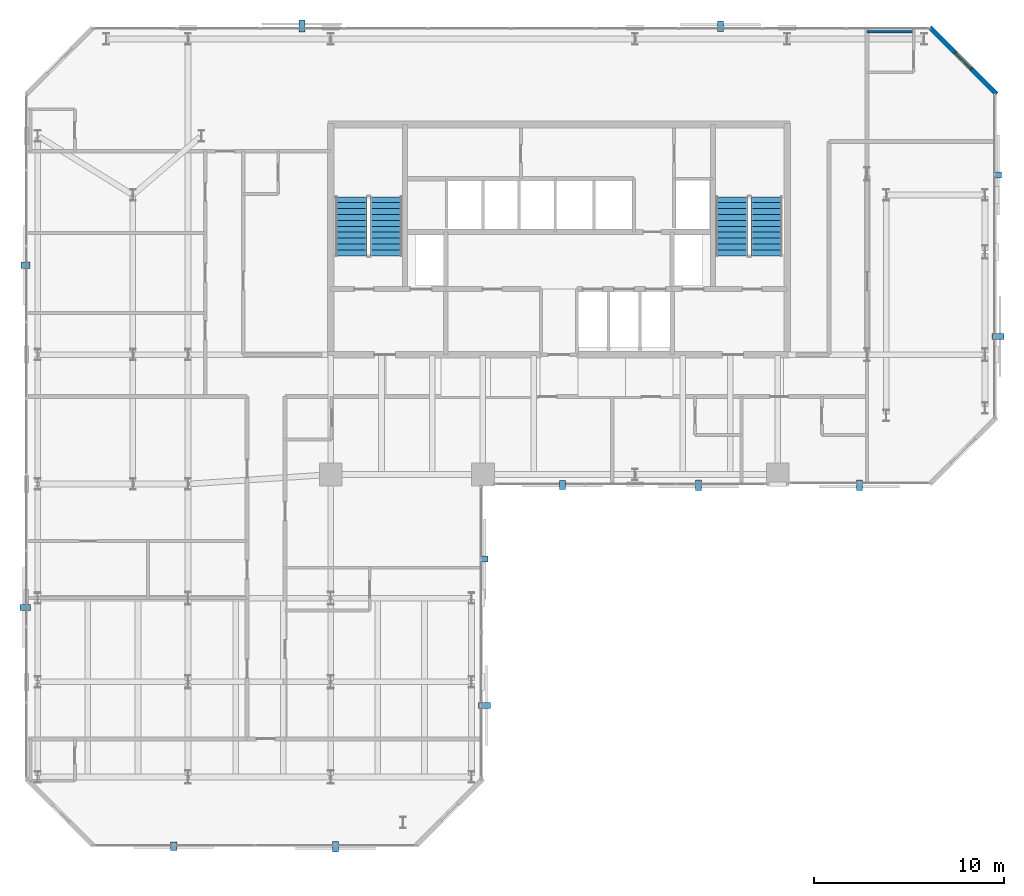
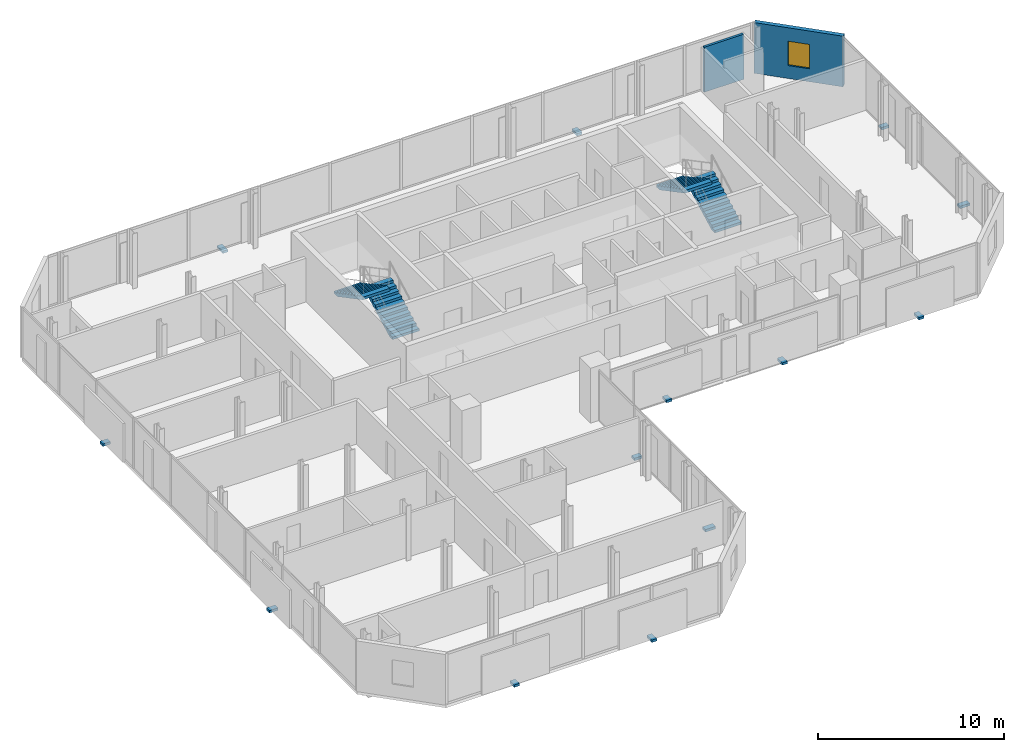
# One storey, part 30 of 33: 13 discrete accessories, 4 stair flights, 2 walls, 1 window, 1 opening, 2 elements without a shape of their own.
"""IFC4 building model written with IfcOpenShell, lengths in metres."""

from ifc_helpers import new_model, si_unit, direction, frame, frame_2d, origin, origin_2d, place, context, subcontext, project, spatial, polyline, rectangle, outline, extrude, material, layer, layer_set, type_object, element, fill, aggregate, save


model = new_model("IFC4")

# Units and contexts
model_context = context("Model", 3, precision=1e-05, world=origin(), true_north=direction((0.0, 1.0)))
body_context = subcontext(model_context, "Body", "Model", "MODEL_VIEW")
ifc_project = project(units=[si_unit("LENGTHUNIT", "METRE"), si_unit("AREAUNIT", "SQUARE_METRE"), si_unit("VOLUMEUNIT", "CUBIC_METRE"), si_unit("PLANEANGLEUNIT", "RADIAN"), si_unit("MASSUNIT", "GRAM", prefix="KILO")], contexts=[model_context])

# Site, building, storey
site_placement = place(None, origin())
site = spatial("IfcSite", under=ifc_project, at=site_placement, CompositionType="ELEMENT")
building_placement = place(site_placement, origin())
building = spatial("IfcBuilding", under=site, at=building_placement, Name="Catumbela Crestline Tower", CompositionType="ELEMENT")
storey_placement = place(building_placement, frame((0.0, 0.0, 118.8)))
storey = spatial("IfcBuildingStorey", under=building, at=storey_placement, Name="L30", CompositionType="ELEMENT", Elevation=118.8)

# Wall, opening, window
ifc_material_1 = material(Name="Angolan grey-ochre granite", Category="masonry")
ifc_layer_1 = layer(ifc_material_1, 0.25, Name="Angolan grey-ochre granite")
ifc_layer_set_1 = layer_set([ifc_layer_1], Name="Angolan grey-ochre granite")
wall_type_1 = type_object("IfcWallType", Name="WE-250", PredefinedType="STANDARD", material=ifc_layer_set_1)
wall_1_placement = place(storey_placement, frame((51.0, 44.5, 0.0), z_axis=(0.0, 0.0, 1.0), x_axis=(-0.707106781187, 0.707106781187, 0.0)))
wall_1 = element("IfcWall", 1, at=wall_1_placement, inside=storey, type_object=wall_type_1, Name="L30 Granite Punched Window Wall 6-1", PredefinedType="STANDARD", context=body_context, shape_type="SweptSolid", body=[
    extrude(rectangle(XDim=4.9497, YDim=0.25, at=frame_2d((2.4748, 0.0))), origin(), (0.0, 0.0, 1.0), 3.33),
])
opening_placement = place(wall_1_placement, frame((1.8748, 0.0, 0.85)))
opening = element("IfcOpeningElement", 2, at=opening_placement, cuts=wall_1, Name="Opening WN-02", PredefinedType="OPENING", context=body_context, shape_type="SweptSolid", body=[
    extrude(rectangle(XDim=1.2, YDim=1.6, at=frame_2d((0.6, 0.8))), frame((0.0, 0.135, 0.0), z_axis=(0.0, -1.0, 0.0), x_axis=(1.0, 0.0, 0.0)), (0.0, 0.0, 1.0), 0.27),
])
ifc_material_2 = material(Name="Low-E laminated solar-control double glazing", Category="glass")
window_type = type_object("IfcWindowType", Name="WO-1200", PartitioningType="SINGLE_PANEL", PredefinedType="WINDOW", material=ifc_material_2)
window_placement = place(opening_placement, origin())
window = element("IfcWindow", 3, at=window_placement, inside=storey, type_object=window_type, Name="L30 Facade Vision Window 172", OverallHeight=1.6, OverallWidth=1.2, PartitioningType="SINGLE_PANEL", PredefinedType="WINDOW", context=body_context, shape_type="SweptSolid", body=[
    extrude(rectangle(XDim=1.2, YDim=1.6, at=frame_2d((0.6, 0.8))), frame((0.0, 0.03, 0.0), z_axis=(0.0, -1.0, 0.0), x_axis=(1.0, 0.0, 0.0)), (0.0, 0.0, 1.0), 0.06),
])
fill(opening, window)

# Wall
ifc_material_3 = material(Name="Acoustic gypsum and mineral-wool partition")
ifc_layer_2 = layer(ifc_material_3, 0.15, Name="Acoustic gypsum and mineral-wool partition")
ifc_layer_set_2 = layer_set([ifc_layer_2], Name="Acoustic gypsum and mineral-wool partition")
wall_type_2 = type_object("IfcWallType", Name="WP-150", PredefinedType="PARTITIONING", material=ifc_layer_set_2)
wall_2_placement = place(storey_placement, frame((44.2, 47.78, 0.0), z_axis=(0.0, 0.0, 1.0), x_axis=(1.0, 0.0, 0.0)))
element("IfcWall", 4, at=wall_2_placement, inside=storey, type_object=wall_type_2, Name="L30 Interior Partition PW-L30-SE1-BCL-2", PredefinedType="PARTITIONING", context=body_context, shape_type="SweptSolid", body=[
    extrude(rectangle(XDim=2.45, YDim=0.15, at=frame_2d((1.225, 0.0))), origin(), (0.0, 0.0, 1.0), 2.96),
])

# Stair, stair flights
ifc_material_4 = material(Name="Concrete C45/55", Category="concrete")
stair_type = type_object("IfcStairType", Name="ST-DLG", PredefinedType="HALF_TURN_STAIR", material=ifc_material_4)
stair_1_placement = place(storey_placement, origin())
stair_1 = element("IfcStair", 5, at=stair_1_placement, inside=storey, type_object=stair_type, Name="L30 West Core Pressurised Exit Stair ST-01", PredefinedType="HALF_TURN_STAIR")
stair_flight_type = type_object("IfcStairFlightType", Name="SF-1636", PredefinedType="STRAIGHT", material=ifc_material_4)
stair_flight_1_placement = place(storey_placement, frame((18.92, 36.0, 0.0), z_axis=(0.0, 0.0, 1.0), x_axis=(0.0, 1.0, 0.0)))
stair_flight_1 = element("IfcStairFlight", 6, at=stair_flight_1_placement, type_object=stair_flight_type, Name="ST-01 flight 1", NumberOfRisers=11, NumberOfTreads=10, PredefinedType="STRAIGHT", RiserHeight=0.163636364, TreadLength=0.31, context=body_context, shape_type="SweptSolid", body=[
    extrude(outline(polyline([(0.0, 0.0), (0.0, 0.1636), (0.31, 0.1636), (0.31, 0.3273), (0.62, 0.3273), (0.62, 0.4909), (0.93, 0.4909), (0.93, 0.6545), (1.24, 0.6545), (1.24, 0.8182), (1.55, 0.8182), (1.55, 0.9818), (1.86, 0.9818), (1.86, 1.1455), (2.17, 1.1455), (2.17, 1.3091), (2.48, 1.3091), (2.48, 1.4727), (2.79, 1.4727), (2.79, 1.6364), (3.1, 1.6364), (3.1, 1.8), (3.1, 1.4554), (0.3427, 0.0), (0.0, 0.0)])), frame((0.0, 0.83, 0.0), z_axis=(0.0, -1.0, 0.0), x_axis=(1.0, 0.0, 0.0)), (0.0, 0.0, 1.0), 1.66),
])
stair_flight_2_placement = place(storey_placement, frame((17.08, 39.1, 1.8), z_axis=(0.0, 0.0, 1.0), x_axis=(0.0, -1.0, 0.0)))
stair_flight_2 = element("IfcStairFlight", 7, at=stair_flight_2_placement, type_object=stair_flight_type, Name="ST-01 flight 2", NumberOfRisers=11, NumberOfTreads=10, PredefinedType="STRAIGHT", RiserHeight=0.163636364, TreadLength=0.31, context=body_context, shape_type="SweptSolid", body=[
    extrude(outline(polyline([(0.0, 0.0), (0.0, 0.1636), (0.31, 0.1636), (0.31, 0.3273), (0.62, 0.3273), (0.62, 0.4909), (0.93, 0.4909), (0.93, 0.6545), (1.24, 0.6545), (1.24, 0.8182), (1.55, 0.8182), (1.55, 0.9818), (1.86, 0.9818), (1.86, 1.1455), (2.17, 1.1455), (2.17, 1.3091), (2.48, 1.3091), (2.48, 1.4727), (2.79, 1.4727), (2.79, 1.6364), (3.1, 1.6364), (3.1, 1.8), (3.1, 1.4554), (0.3427, 0.0), (0.0, 0.0)])), frame((0.0, 0.83, 0.0), z_axis=(0.0, -1.0, 0.0), x_axis=(1.0, 0.0, 0.0)), (0.0, 0.0, 1.0), 1.66),
])
aggregate(stair_1, [stair_flight_1, stair_flight_2])

stair_2_placement = place(storey_placement, origin())
stair_2 = element("IfcStair", 8, at=stair_2_placement, inside=storey, type_object=stair_type, Name="L30 East Core Pressurised Exit Stair ST-02", PredefinedType="HALF_TURN_STAIR")
stair_flight_3_placement = place(storey_placement, frame((38.92, 36.0, 0.0), z_axis=(0.0, 0.0, 1.0), x_axis=(0.0, 1.0, 0.0)))
stair_flight_3 = element("IfcStairFlight", 9, at=stair_flight_3_placement, type_object=stair_flight_type, Name="ST-02 flight 1", NumberOfRisers=11, NumberOfTreads=10, PredefinedType="STRAIGHT", RiserHeight=0.163636364, TreadLength=0.31, context=body_context, shape_type="SweptSolid", body=[
    extrude(outline(polyline([(0.0, 0.0), (0.0, 0.1636), (0.31, 0.1636), (0.31, 0.3273), (0.62, 0.3273), (0.62, 0.4909), (0.93, 0.4909), (0.93, 0.6545), (1.24, 0.6545), (1.24, 0.8182), (1.55, 0.8182), (1.55, 0.9818), (1.86, 0.9818), (1.86, 1.1455), (2.17, 1.1455), (2.17, 1.3091), (2.48, 1.3091), (2.48, 1.4727), (2.79, 1.4727), (2.79, 1.6364), (3.1, 1.6364), (3.1, 1.8), (3.1, 1.4554), (0.3427, 0.0), (0.0, 0.0)])), frame((0.0, 0.83, 0.0), z_axis=(0.0, -1.0, 0.0), x_axis=(1.0, 0.0, 0.0)), (0.0, 0.0, 1.0), 1.66),
])
stair_flight_4_placement = place(storey_placement, frame((37.08, 39.1, 1.8), z_axis=(0.0, 0.0, 1.0), x_axis=(0.0, -1.0, 0.0)))
stair_flight_4 = element("IfcStairFlight", 10, at=stair_flight_4_placement, type_object=stair_flight_type, Name="ST-02 flight 2", NumberOfRisers=11, NumberOfTreads=10, PredefinedType="STRAIGHT", RiserHeight=0.163636364, TreadLength=0.31, context=body_context, shape_type="SweptSolid", body=[
    extrude(outline(polyline([(0.0, 0.0), (0.0, 0.1636), (0.31, 0.1636), (0.31, 0.3273), (0.62, 0.3273), (0.62, 0.4909), (0.93, 0.4909), (0.93, 0.6545), (1.24, 0.6545), (1.24, 0.8182), (1.55, 0.8182), (1.55, 0.9818), (1.86, 0.9818), (1.86, 1.1455), (2.17, 1.1455), (2.17, 1.3091), (2.48, 1.3091), (2.48, 1.4727), (2.79, 1.4727), (2.79, 1.6364), (3.1, 1.6364), (3.1, 1.8), (3.1, 1.4554), (0.3427, 0.0), (0.0, 0.0)])), frame((0.0, 0.83, 0.0), z_axis=(0.0, -1.0, 0.0), x_axis=(1.0, 0.0, 0.0)), (0.0, 0.0, 1.0), 1.66),
])
aggregate(stair_2, [stair_flight_3, stair_flight_4])

# Discrete accessories
ifc_material_5 = material(Name="Stainless steel EN 1.4401", Category="steel")
discrete_accessory_type = type_object("IfcDiscreteAccessoryType", Name="BK-SS1", PredefinedType="BRACKET", material=ifc_material_5)
discrete_accessory_1_placement = place(storey_placement, frame((7.75, 4.955, -0.18), z_axis=(0.0, 0.0, 1.0), x_axis=(1.0, 0.0, 0.0)))
element("IfcDiscreteAccessory", 11, at=discrete_accessory_1_placement, inside=storey, type_object=discrete_accessory_type, Name="L30 Solar Screen Stainless Bracket 315", PredefinedType="BRACKET", context=body_context, shape_type="SweptSolid", body=[
    extrude(rectangle(XDim=0.32, YDim=0.46, at=origin_2d()), origin(), (0.0, 0.0, 1.0), 0.16),
])
discrete_accessory_2_placement = place(storey_placement, frame((16.25, 4.935, -0.18), z_axis=(0.0, 0.0, 1.0), x_axis=(1.0, 0.0, 0.0)))
element("IfcDiscreteAccessory", 12, at=discrete_accessory_2_placement, inside=storey, type_object=discrete_accessory_type, Name="L30 Solar Screen Stainless Bracket 316", PredefinedType="BRACKET", context=body_context, shape_type="SweptSolid", body=[
    extrude(rectangle(XDim=0.32, YDim=0.54, at=origin_2d()), origin(), (0.0, 0.0, 1.0), 0.16),
])
discrete_accessory_3_placement = place(storey_placement, frame((24.085, 12.35, -0.18), z_axis=(0.0, 0.0, 1.0), x_axis=(0.0, 1.0, 0.0)))
element("IfcDiscreteAccessory", 13, at=discrete_accessory_3_placement, inside=storey, type_object=discrete_accessory_type, Name="L30 Solar Screen Stainless Bracket 317", PredefinedType="BRACKET", context=body_context, shape_type="SweptSolid", body=[
    extrude(rectangle(XDim=0.32, YDim=0.62, at=origin_2d()), origin(), (0.0, 0.0, 1.0), 0.16),
])
for number, where, z_axis, x_axis, name in (
    (14, (24.045, 20.05, -0.18), (0.0, 0.0, 1.0), (0.0, 1.0, 0.0), "L30 Solar Screen Stainless Bracket 318"),
    (15, (28.175, 23.955, -0.18), (0.0, 0.0, 1.0), (1.0, 0.0, 0.0), "L30 Solar Screen Stainless Bracket 319"),
):
    element("IfcDiscreteAccessory", number, at=place(storey_placement, frame(where, z_axis=z_axis, x_axis=x_axis)), inside=storey, type_object=discrete_accessory_type, Name=name, PredefinedType="BRACKET", context=body_context, shape_type="SweptSolid", body=[
        extrude(rectangle(XDim=0.32, YDim=0.46, at=origin_2d()), origin(), (0.0, 0.0, 1.0), 0.16),
    ])
for number, where, z_axis, x_axis, name in (
    (16, (35.325, 23.935, -0.18), (0.0, 0.0, 1.0), (1.0, 0.0, 0.0), "L30 Solar Screen Stainless Bracket 320"),
    (17, (43.8, 23.935, -0.18), (0.0, 0.0, 1.0), (1.0, 0.0, 0.0), "L30 Solar Screen Stainless Bracket 321"),
):
    element("IfcDiscreteAccessory", number, at=place(storey_placement, frame(where, z_axis=z_axis, x_axis=x_axis)), inside=storey, type_object=discrete_accessory_type, Name=name, PredefinedType="BRACKET", context=body_context, shape_type="SweptSolid", body=[
        extrude(rectangle(XDim=0.32, YDim=0.54, at=origin_2d()), origin(), (0.0, 0.0, 1.0), 0.16),
    ])
discrete_accessory_4_placement = place(storey_placement, frame((51.085, 31.75, -0.18), z_axis=(0.0, 0.0, 1.0), x_axis=(0.0, 1.0, 0.0)))
element("IfcDiscreteAccessory", 18, at=discrete_accessory_4_placement, inside=storey, type_object=discrete_accessory_type, Name="L30 Solar Screen Stainless Bracket 322", PredefinedType="BRACKET", context=body_context, shape_type="SweptSolid", body=[
    extrude(rectangle(XDim=0.32, YDim=0.62, at=origin_2d()), origin(), (0.0, 0.0, 1.0), 0.16),
])
discrete_accessory_5_placement = place(storey_placement, frame((51.045, 40.25, -0.18), z_axis=(0.0, 0.0, 1.0), x_axis=(0.0, 1.0, 0.0)))
element("IfcDiscreteAccessory", 19, at=discrete_accessory_5_placement, inside=storey, type_object=discrete_accessory_type, Name="L30 Solar Screen Stainless Bracket 323", PredefinedType="BRACKET", context=body_context, shape_type="SweptSolid", body=[
    extrude(rectangle(XDim=0.32, YDim=0.46, at=origin_2d()), origin(), (0.0, 0.0, 1.0), 0.16),
])
discrete_accessory_6_placement = place(storey_placement, frame((36.5, 48.065, -0.18), z_axis=(0.0, 0.0, 1.0), x_axis=(-1.0, 0.0, 0.0)))
element("IfcDiscreteAccessory", 20, at=discrete_accessory_6_placement, inside=storey, type_object=discrete_accessory_type, Name="L30 Solar Screen Stainless Bracket 324", PredefinedType="BRACKET", context=body_context, shape_type="SweptSolid", body=[
    extrude(rectangle(XDim=0.32, YDim=0.54, at=origin_2d()), origin(), (0.0, 0.0, 1.0), 0.16),
])
discrete_accessory_7_placement = place(storey_placement, frame((14.5, 48.085, -0.18), z_axis=(0.0, 0.0, 1.0), x_axis=(-1.0, 0.0, 0.0)))
element("IfcDiscreteAccessory", 21, at=discrete_accessory_7_placement, inside=storey, type_object=discrete_accessory_type, Name="L30 Solar Screen Stainless Bracket 325", PredefinedType="BRACKET", context=body_context, shape_type="SweptSolid", body=[
    extrude(rectangle(XDim=0.32, YDim=0.62, at=origin_2d()), origin(), (0.0, 0.0, 1.0), 0.16),
])
discrete_accessory_8_placement = place(storey_placement, frame((-0.045, 35.5, -0.18), z_axis=(0.0, 0.0, 1.0), x_axis=(0.0, -1.0, 0.0)))
element("IfcDiscreteAccessory", 22, at=discrete_accessory_8_placement, inside=storey, type_object=discrete_accessory_type, Name="L30 Solar Screen Stainless Bracket 326", PredefinedType="BRACKET", context=body_context, shape_type="SweptSolid", body=[
    extrude(rectangle(XDim=0.32, YDim=0.46, at=origin_2d()), origin(), (0.0, 0.0, 1.0), 0.16),
])
discrete_accessory_9_placement = place(storey_placement, frame((-0.065, 17.5, -0.18), z_axis=(0.0, 0.0, 1.0), x_axis=(0.0, -1.0, 0.0)))
element("IfcDiscreteAccessory", 23, at=discrete_accessory_9_placement, inside=storey, type_object=discrete_accessory_type, Name="L30 Solar Screen Stainless Bracket 327", PredefinedType="BRACKET", context=body_context, shape_type="SweptSolid", body=[
    extrude(rectangle(XDim=0.32, YDim=0.54, at=origin_2d()), origin(), (0.0, 0.0, 1.0), 0.16),
])

save(model, "model.ifc")
